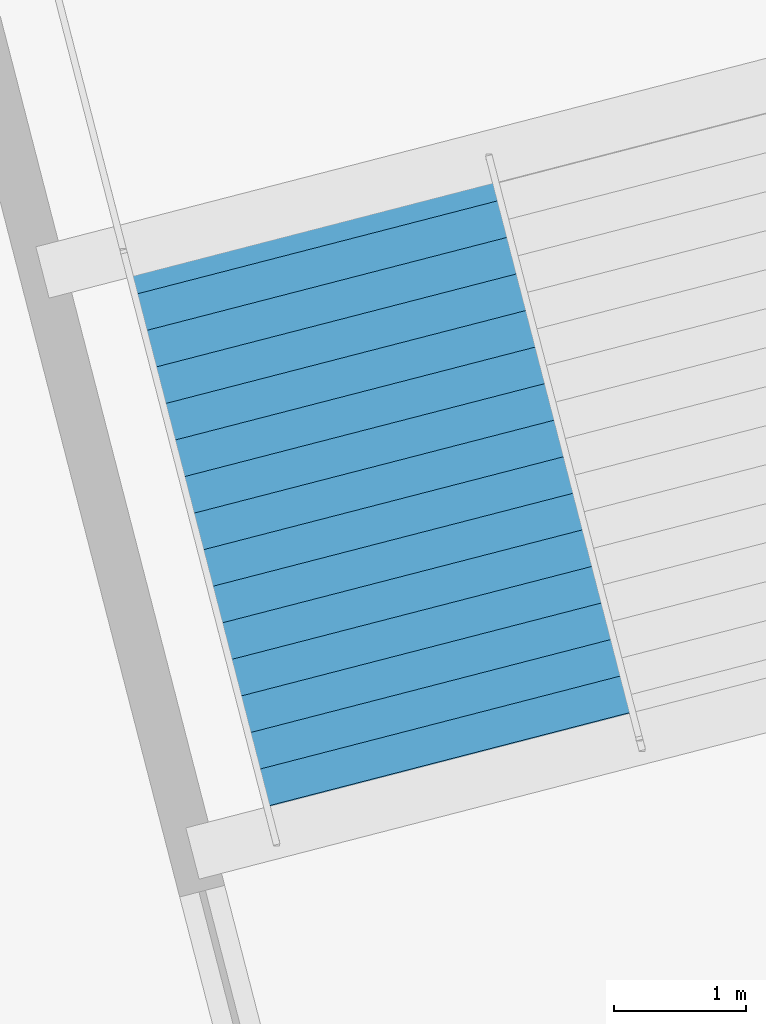
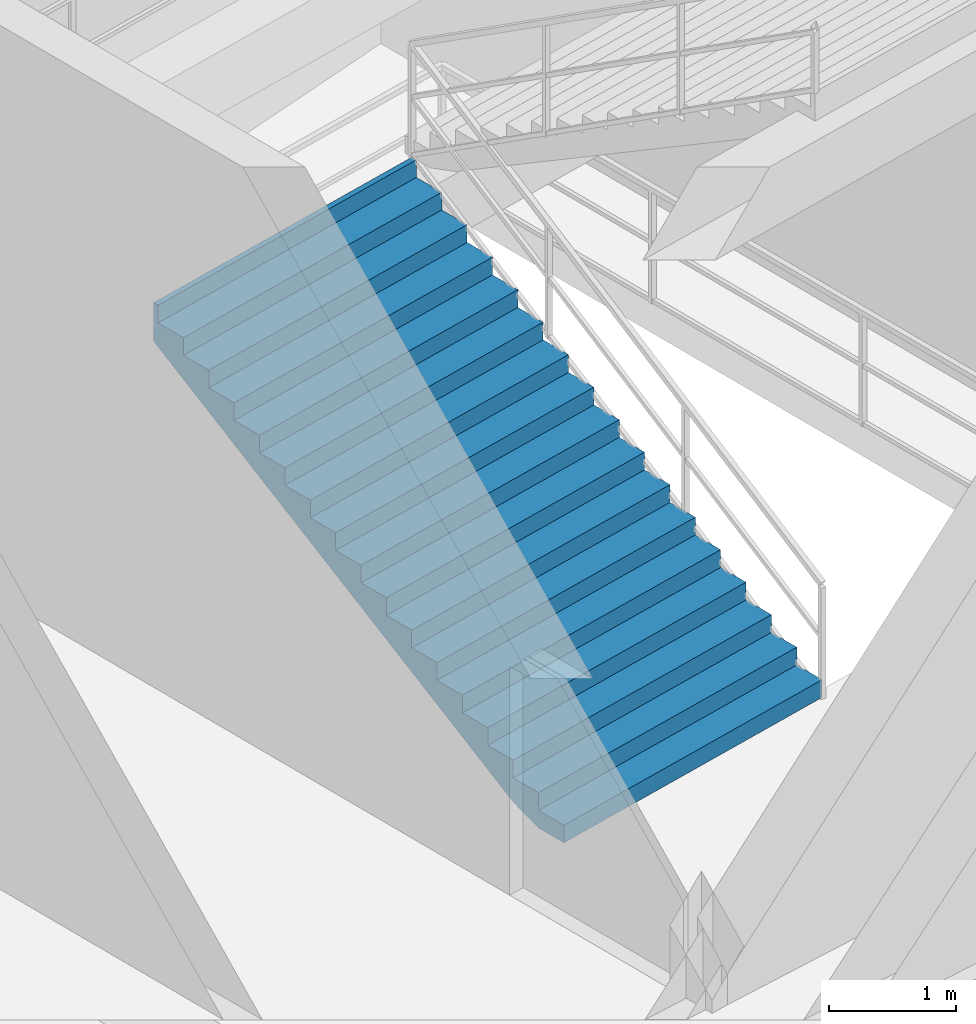
# One storey, part 31 of 48: 1 stair flight, 1 element without a shape of its own.
"""IFC4 building model written with IfcOpenShell, lengths in metres."""

import ifcopenshell
import ifcopenshell.guid

model = None  # the IFC model being written
_history = None  # IfcOwnerHistory: only IFC2X3 demands one
_inside = {}  # id of a spatial element -> (the spatial element, [elements in it])
_under = {}  # id of a project, library or spatial element -> (it, [spatial elements below it])
_declared = {}  # id of a project -> (the project, [libraries it declares])
_typed = {}  # id of a type object -> (the type object, [elements of that type])
_made_of = {}  # id of a material, layer set ... -> (it, [elements and type objects made of it])


def new_model(schema):
    """Start an empty IFC model of exactly this schema.

    Asked for "IFC4X3", IfcOpenShell would pick the latest addendum, in which some entities
    have other attributes; the version numbers below select the first issue.
    IFC2X3 requires an IfcOwnerHistory on every rooted entity: one is made here for all.
    """
    global model, _history
    if schema == "IFC4X3":
        model = ifcopenshell.file(schema_version=(4, 3, 0, 0))
    else:
        model = ifcopenshell.file(schema=schema)
    _inside.clear()
    _under.clear()
    _declared.clear()
    _typed.clear()
    _made_of.clear()
    _history = None
    if model.schema == "IFC2X3":
        org = make("IfcOrganization", Name="unknown")
        user = make(
            "IfcPersonAndOrganization",
            ThePerson=make("IfcPerson", FamilyName="unknown"),
            TheOrganization=org,
        )
        app = make(
            "IfcApplication",
            ApplicationDeveloper=org,
            Version="unknown",
            ApplicationFullName="unknown",
            ApplicationIdentifier="unknown",
        )
        _history = make(
            "IfcOwnerHistory",
            OwningUser=user,
            OwningApplication=app,
            ChangeAction="ADDED",
            CreationDate=0,
        )
    return model


def make(cls, **values):
    """One entity of the class cls with the attributes given. An attribute that is None is left unset."""
    return model.create_entity(
        cls, **{name: value for name, value in values.items() if value is not None}
    )


def rooted(cls, **values):
    """An entity with a GlobalId (a new one), such as an element, a storey or a relation."""
    return make(cls, GlobalId=ifcopenshell.guid.new(), OwnerHistory=_history, **values)


def si_unit(unit_type, name, prefix=None):
    """IfcSIUnit, for example si_unit("LENGTHUNIT", "METRE", prefix="MILLI")."""
    return make("IfcSIUnit", UnitType=unit_type, Prefix=prefix, Name=name)


def assignment(units):
    """IfcUnitAssignment: the units of a project."""
    return None if units is None else make("IfcUnitAssignment", Units=units)


def point(xyz):
    """IfcCartesianPoint."""
    return None if xyz is None else make("IfcCartesianPoint", Coordinates=xyz)


def direction(xyz):
    """IfcDirection."""
    return None if xyz is None else make("IfcDirection", DirectionRatios=xyz)


def frame(location, z_axis=None, x_axis=None):
    """IfcAxis2Placement3D, a coordinate frame: its origin and axes. An axis left out is left unset."""
    return make(
        "IfcAxis2Placement3D",
        Location=point(location),
        Axis=direction(z_axis),
        RefDirection=direction(x_axis),
    )


def origin():
    """The frame at (0, 0, 0) with its axes left unset."""
    return frame((0.0, 0.0, 0.0))


def place(relative_to, where):
    """IfcLocalPlacement: puts the frame where relative to a parent placement (None: the world)."""
    return make(
        "IfcLocalPlacement", PlacementRelTo=relative_to, RelativePlacement=where
    )


def context(
    kind, dimensions, precision=None, world=None, true_north=None, identifier=None
):
    """IfcGeometricRepresentationContext, for example the 3D "Model" context."""
    return make(
        "IfcGeometricRepresentationContext",
        ContextIdentifier=identifier,
        ContextType=kind,
        CoordinateSpaceDimension=dimensions,
        Precision=precision,
        WorldCoordinateSystem=world,
        TrueNorth=true_north,
    )


def subcontext(parent, identifier, kind, view, scale=None):
    """IfcGeometricRepresentationSubContext, for example "Body" below "Model"."""
    return make(
        "IfcGeometricRepresentationSubContext",
        ContextIdentifier=identifier,
        ContextType=kind,
        ParentContext=parent,
        TargetScale=scale,
        TargetView=view,
    )


def project(units=None, contexts=None):
    """IfcProject with its units and contexts."""
    return rooted(
        "IfcProject",
        Name="project",
        RepresentationContexts=contexts,
        UnitsInContext=assignment(units),
    )


def spatial(cls, under=None, at=None, **own):
    """A site, building, storey or space (cls), placed at a placement, below another one or the project."""
    s = rooted(cls, ObjectPlacement=at, **own)
    if under is not None:
        _under.setdefault(under.id(), (under, []))[1].append(s)
    return s


def point_list(points):
    """IfcCartesianPointList2D or 3D."""
    cls = (
        "IfcCartesianPointList2D" if len(points[0]) == 2 else "IfcCartesianPointList3D"
    )
    return make(cls, CoordList=points)


def polygons(points, faces, closed=None, point_numbers=None):
    """IfcPolygonalFaceSet: a face is its outer loop, then its inner loops; points numbered from 1."""
    made = []
    for loops in faces:
        if len(loops) == 1:
            made.append(make("IfcIndexedPolygonalFace", CoordIndex=loops[0]))
        else:
            made.append(
                make(
                    "IfcIndexedPolygonalFaceWithVoids",
                    CoordIndex=loops[0],
                    InnerCoordIndices=loops[1:],
                )
            )
    return make(
        "IfcPolygonalFaceSet",
        Coordinates=point_list(points),
        Closed=closed,
        Faces=made,
        PnIndex=point_numbers,
    )


def shape(context_of_items, identifier, shape_type, items):
    """IfcShapeRepresentation: the items that make up one representation, for example the "Body"."""
    return make(
        "IfcShapeRepresentation",
        ContextOfItems=context_of_items,
        RepresentationIdentifier=identifier,
        RepresentationType=shape_type,
        Items=items,
    )


def material(Name=None, Category=None):
    """IfcMaterial."""
    return make("IfcMaterial", Name=Name, Category=Category)


def made_of(thing, what):
    """Note that an element or type object is made of a material, layer set ...; save() writes the relation."""
    if what is not None:
        _made_of.setdefault(what.id(), (what, []))[1].append(thing)
    return thing


def type_object(cls, material=None, **own):
    """A type object (cls), such as IfcWallType, which elements share."""
    return made_of(rooted(cls, **own), material)


def element(
    cls,
    number,
    at=None,
    inside=None,
    cuts=None,
    type_object=None,
    material=None,
    context=None,
    identifier="Body",
    shape_type=None,
    held_by="IfcProductDefinitionShape",
    body=None,
    shapes=None,
    **own,
):
    """One element of the class cls, such as IfcWall. Its Tag is "e" and its number.

    at: its placement. inside: the storey or other place that contains it. cuts: it is an
    opening in that element (IfcRelVoidsElement). A single representation is given by context,
    identifier, shape_type and body (its items); several are given by shapes. held_by: the class
    of the entity that holds the representations. save() writes the other relations.
    """
    e = rooted(cls, Tag="e%d" % number, ObjectPlacement=at, **own)
    if body is not None:
        shapes = [shape(context, identifier, shape_type, body)]
    if shapes is not None:
        e.Representation = make(held_by, Representations=shapes)
    if inside is not None:
        _inside.setdefault(inside.id(), (inside, []))[1].append(e)
    if cuts is not None:
        rooted(
            "IfcRelVoidsElement", RelatingBuildingElement=cuts, RelatedOpeningElement=e
        )
    if type_object is not None:
        _typed.setdefault(type_object.id(), (type_object, []))[1].append(e)
    return made_of(e, material)


def aggregate(whole, parts):
    """IfcRelAggregates: a whole, such as a stair, and the parts it consists of."""
    return rooted("IfcRelAggregates", RelatingObject=whole, RelatedObjects=parts)


def save(model, path):
    """Write the relations noted so far, then the file.

    IfcRelAggregates (storeys below a building ...), IfcRelContainedInSpatialStructure (elements
    in a storey), IfcRelDefinesByType, IfcRelAssociatesMaterial and IfcRelDeclares: one each for
    every whole, place, type object, material and project.
    """
    for whole, parts in _under.values():
        aggregate(whole, parts)
    for where, things in _inside.values():
        rooted(
            "IfcRelContainedInSpatialStructure",
            RelatedElements=things,
            RelatingStructure=where,
        )
    for kind, things in _typed.values():
        rooted("IfcRelDefinesByType", RelatedObjects=things, RelatingType=kind)
    for what, things in _made_of.values():
        rooted("IfcRelAssociatesMaterial", RelatedObjects=things, RelatingMaterial=what)
    for by, libraries in _declared.values():
        rooted("IfcRelDeclares", RelatingContext=by, RelatedDefinitions=libraries)
    model.write(path)


model = new_model("IFC4")

# Units and contexts
model_context = context("Model", 3, precision=1e-05, world=origin(), true_north=direction((0.0, 1.0)))
body_context = subcontext(model_context, "Body", "Model", "MODEL_VIEW")
ifc_project = project(units=[si_unit("LENGTHUNIT", "METRE"), si_unit("AREAUNIT", "SQUARE_METRE"), si_unit("VOLUMEUNIT", "CUBIC_METRE"), si_unit("PLANEANGLEUNIT", "RADIAN"), si_unit("MASSUNIT", "GRAM", prefix="KILO")], contexts=[model_context])

# Site, building, storey
site_placement = place(None, origin())
site = spatial("IfcSite", under=ifc_project, at=site_placement, CompositionType="ELEMENT")
building_placement = place(site_placement, origin())
building = spatial("IfcBuilding", under=site, at=building_placement, Name="Kazemori Nagisa Stadium", CompositionType="ELEMENT")
storey_placement = place(building_placement, origin())
storey = spatial("IfcBuildingStorey", under=building, at=storey_placement, Name="L00", CompositionType="ELEMENT", Elevation=0.0)

# Stair, stair flight
ifc_material = material(Name="Concrete C36/45 (Fc36)", Category="concrete")
stair_type = type_object("IfcStairType", Name="Stair_CORE_34", PredefinedType="TWO_STRAIGHT_RUN_STAIR", material=ifc_material)
stair_placement = place(storey_placement, origin())
stair = element("IfcStair", 1, at=stair_placement, inside=storey, type_object=stair_type, Name="Exit stair ST07 L00", PredefinedType="TWO_STRAIGHT_RUN_STAIR")
stair_flight_type = type_object("IfcStairFlightType", Name="Flight_CORE_17", PredefinedType="STRAIGHT", material=ifc_material)
stair_flight_placement = place(storey_placement, frame((207.933349609375, 122.920166015625, 0.0), z_axis=(0.0, 0.0, 1.0), x_axis=(-0.24997355226, 0.968252664944, 0.0)))
stair_flight = element("IfcStairFlight", 2, at=stair_flight_placement, type_object=stair_flight_type, Name="Exit stair ST07 L00 flight 1", NumberOfRisers=17, NumberOfTreads=16, PredefinedType="STRAIGHT", RiserHeight=0.17, TreadLength=0.285, context=body_context, shape_type="Tessellation", body=[
    polygons([(0.0, -1.425048828125, 0.0), (0.0, -1.425048828125, 0.169921875), (0.284912109375, -1.425048828125, 0.169921875), (0.284912109375, -1.425048828125, 0.340087890625), (0.570068359375, -1.425048828125, 0.340087890625), (0.570068359375, -1.425048828125, 0.510009765625), (0.85498046875, -1.425048828125, 0.510009765625), (0.85498046875, -1.425048828125, 0.679931640625), (1.139892578125, -1.425048828125, 0.679931640625), (1.139892578125, -1.425048828125, 0.85009765625), (1.425048828125, -1.425048828125, 0.85009765625), (1.425048828125, -1.425048828125, 1.02001953125), (1.7099609375, -1.425048828125, 1.02001953125), (1.7099609375, -1.425048828125, 1.18994140625), (1.9951171875, -1.425048828125, 1.18994140625), (1.9951171875, -1.425048828125, 1.360107421875), (2.280029296875, -1.425048828125, 1.360107421875), (2.280029296875, -1.425048828125, 1.530029296875), (2.56494140625, -1.425048828125, 1.530029296875), (2.56494140625, -1.425048828125, 1.699951171875), (2.85009765625, -1.425048828125, 1.699951171875), (2.85009765625, -1.425048828125, 1.8701171875), (3.135009765625, -1.425048828125, 1.8701171875), (3.135009765625, -1.425048828125, 2.0400390625), (3.419921875, -1.425048828125, 2.0400390625), (3.419921875, -1.425048828125, 2.2099609375), (3.705078125, -1.425048828125, 2.2099609375), (3.705078125, -1.425048828125, 2.3798828125), (3.989990234375, -1.425048828125, 2.3798828125), (3.989990234375, -1.425048828125, 2.550048828125), (4.27490234375, -1.425048828125, 2.550048828125), (4.27490234375, -1.425048828125, 2.719970703125), (4.56005859375, -1.425048828125, 2.719970703125), (4.56005859375, -1.425048828125, 2.889892578125), (4.610107421875, -1.425048828125, 2.889892578125), (4.610107421875, -1.425048828125, 2.51708984375), (4.56005859375, -1.425048828125, 2.487060546875), (4.27490234375, -1.425048828125, 2.317138671875), (3.989990234375, -1.425048828125, 2.147216796875), (3.705078125, -1.425048828125, 1.977294921875), (3.419921875, -1.425048828125, 1.80712890625), (3.135009765625, -1.425048828125, 1.63720703125), (2.85009765625, -1.425048828125, 1.46728515625), (2.56494140625, -1.425048828125, 1.297119140625), (2.280029296875, -1.425048828125, 1.127197265625), (1.9951171875, -1.425048828125, 0.957275390625), (1.7099609375, -1.425048828125, 0.787109375), (1.425048828125, -1.425048828125, 0.6171875), (1.139892578125, -1.425048828125, 0.447265625), (0.85498046875, -1.425048828125, 0.277099609375), (0.570068359375, -1.425048828125, 0.107177734375), (0.284912109375, -1.425048828125, 0.0), (0.0, -0.08544921875, 0.0), (0.0, -0.08544921875, 0.169921875), (0.284912109375, -0.08544921875, 0.169921875), (0.284912109375, -0.08544921875, 0.340087890625), (0.570068359375, -0.08544921875, 0.340087890625), (0.570068359375, -0.08544921875, 0.510009765625), (0.85498046875, -0.08544921875, 0.510009765625), (0.85498046875, -0.08544921875, 0.679931640625), (1.139892578125, -0.08544921875, 0.679931640625), (1.139892578125, -0.08544921875, 0.85009765625), (1.425048828125, -0.08544921875, 0.85009765625), (1.425048828125, -0.08544921875, 1.02001953125), (1.7099609375, -0.08544921875, 1.02001953125), (1.7099609375, -0.08544921875, 1.18994140625), (1.9951171875, -0.08544921875, 1.18994140625), (1.9951171875, -0.08544921875, 1.360107421875), (2.280029296875, -0.08544921875, 1.360107421875), (2.280029296875, -0.08544921875, 1.530029296875), (2.56494140625, -0.08544921875, 1.530029296875), (2.56494140625, -0.08544921875, 1.699951171875), (2.85009765625, -0.08544921875, 1.699951171875), (2.85009765625, -0.08544921875, 1.8701171875), (3.135009765625, -0.08544921875, 1.8701171875), (3.135009765625, -0.08544921875, 2.0400390625), (3.419921875, -0.08544921875, 2.0400390625), (3.419921875, -0.08544921875, 2.2099609375), (3.705078125, -0.08544921875, 2.2099609375), (3.705078125, -0.08544921875, 2.3798828125), (3.989990234375, -0.08544921875, 2.3798828125), (3.989990234375, -0.08544921875, 2.550048828125), (4.27490234375, -0.08544921875, 2.550048828125), (4.27490234375, -0.08544921875, 2.719970703125), (4.56005859375, -0.08544921875, 2.719970703125), (4.56005859375, -0.08544921875, 2.889892578125), (4.610107421875, -0.08544921875, 2.889892578125), (4.610107421875, -0.08544921875, 2.51708984375), (4.56005859375, -0.08544921875, 2.487060546875), (4.27490234375, -0.08544921875, 2.317138671875), (3.989990234375, -0.08544921875, 2.147216796875), (3.705078125, -0.08544921875, 1.977294921875), (3.419921875, -0.08544921875, 1.80712890625), (3.135009765625, -0.08544921875, 1.63720703125), (2.85009765625, -0.08544921875, 1.46728515625), (2.56494140625, -0.08544921875, 1.297119140625), (2.280029296875, -0.08544921875, 1.127197265625), (1.9951171875, -0.08544921875, 0.957275390625), (1.7099609375, -0.08544921875, 0.787109375), (1.425048828125, -0.08544921875, 0.6171875), (1.139892578125, -0.08544921875, 0.447265625), (0.85498046875, -0.08544921875, 0.277099609375), (0.570068359375, -0.08544921875, 0.107177734375), (0.284912109375, -0.08544921875, 0.0), (0.0, 0.0, 0.0), (0.0, 0.0, 0.169921875), (0.284912109375, 0.0, 0.169921875), (0.284912109375, 0.0, 0.340087890625), (0.570068359375, 0.0, 0.340087890625), (0.570068359375, 0.0, 0.510009765625), (0.85498046875, 0.0, 0.510009765625), (0.85498046875, 0.0, 0.679931640625), (1.139892578125, 0.0, 0.679931640625), (1.139892578125, 0.0, 0.85009765625), (1.425048828125, 0.0, 0.85009765625), (1.425048828125, 0.0, 1.02001953125), (1.7099609375, 0.0, 1.02001953125), (1.7099609375, 0.0, 1.18994140625), (1.9951171875, 0.0, 1.18994140625), (1.9951171875, 0.0, 1.360107421875), (2.280029296875, 0.0, 1.360107421875), (2.280029296875, 0.0, 1.530029296875), (2.56494140625, 0.0, 1.530029296875), (2.56494140625, 0.0, 1.699951171875), (2.85009765625, 0.0, 1.699951171875), (2.85009765625, 0.0, 1.8701171875), (3.135009765625, 0.0, 1.8701171875), (3.135009765625, 0.0, 2.0400390625), (3.419921875, 0.0, 2.0400390625), (3.419921875, 0.0, 2.2099609375), (3.705078125, 0.0, 2.2099609375), (3.705078125, 0.0, 2.3798828125), (3.989990234375, 0.0, 2.3798828125), (3.989990234375, 0.0, 2.550048828125), (4.27490234375, 0.0, 2.550048828125), (4.27490234375, 0.0, 2.719970703125), (4.56005859375, 0.0, 2.719970703125), (4.56005859375, 0.0, 2.889892578125), (4.610107421875, 0.0, 2.889892578125), (4.610107421875, 0.0, 2.51708984375), (4.56005859375, 0.0, 2.487060546875), (4.27490234375, 0.0, 2.317138671875), (3.989990234375, 0.0, 2.147216796875), (3.705078125, 0.0, 1.977294921875), (3.419921875, 0.0, 1.80712890625), (3.135009765625, 0.0, 1.63720703125), (2.85009765625, 0.0, 1.46728515625), (2.56494140625, 0.0, 1.297119140625), (2.280029296875, 0.0, 1.127197265625), (1.9951171875, 0.0, 0.957275390625), (1.7099609375, 0.0, 0.787109375), (1.425048828125, 0.0, 0.6171875), (1.139892578125, 0.0, 0.447265625), (0.85498046875, 0.0, 0.277099609375), (0.570068359375, 0.0, 0.107177734375), (0.284912109375, 0.0, 0.0), (0.0, 0.08544921875, 0.0), (0.0, 0.08544921875, 0.169921875), (0.284912109375, 0.08544921875, 0.169921875), (0.284912109375, 0.08544921875, 0.340087890625), (0.570068359375, 0.08544921875, 0.340087890625), (0.570068359375, 0.08544921875, 0.510009765625), (0.85498046875, 0.08544921875, 0.510009765625), (0.85498046875, 0.08544921875, 0.679931640625), (1.139892578125, 0.08544921875, 0.679931640625), (1.139892578125, 0.08544921875, 0.85009765625), (1.425048828125, 0.08544921875, 0.85009765625), (1.425048828125, 0.08544921875, 1.02001953125), (1.7099609375, 0.08544921875, 1.02001953125), (1.7099609375, 0.08544921875, 1.18994140625), (1.9951171875, 0.08544921875, 1.18994140625), (1.9951171875, 0.08544921875, 1.360107421875), (2.280029296875, 0.08544921875, 1.360107421875), (2.280029296875, 0.08544921875, 1.530029296875), (2.56494140625, 0.08544921875, 1.530029296875), (2.56494140625, 0.08544921875, 1.699951171875), (2.85009765625, 0.08544921875, 1.699951171875), (2.85009765625, 0.08544921875, 1.8701171875), (3.135009765625, 0.08544921875, 1.8701171875), (3.135009765625, 0.08544921875, 2.0400390625), (3.419921875, 0.08544921875, 2.0400390625), (3.419921875, 0.08544921875, 2.2099609375), (3.705078125, 0.08544921875, 2.2099609375), (3.705078125, 0.08544921875, 2.3798828125), (3.989990234375, 0.08544921875, 2.3798828125), (3.989990234375, 0.08544921875, 2.550048828125), (4.27490234375, 0.08544921875, 2.550048828125), (4.27490234375, 0.08544921875, 2.719970703125), (4.56005859375, 0.08544921875, 2.719970703125), (4.56005859375, 0.08544921875, 2.889892578125), (4.610107421875, 0.08544921875, 2.889892578125), (4.610107421875, 0.08544921875, 2.51708984375), (4.56005859375, 0.08544921875, 2.487060546875), (4.27490234375, 0.08544921875, 2.317138671875), (3.989990234375, 0.08544921875, 2.147216796875), (3.705078125, 0.08544921875, 1.977294921875), (3.419921875, 0.08544921875, 1.80712890625), (3.135009765625, 0.08544921875, 1.63720703125), (2.85009765625, 0.08544921875, 1.46728515625), (2.56494140625, 0.08544921875, 1.297119140625), (2.280029296875, 0.08544921875, 1.127197265625), (1.9951171875, 0.08544921875, 0.957275390625), (1.7099609375, 0.08544921875, 0.787109375), (1.425048828125, 0.08544921875, 0.6171875), (1.139892578125, 0.08544921875, 0.447265625), (0.85498046875, 0.08544921875, 0.277099609375), (0.570068359375, 0.08544921875, 0.107177734375), (0.284912109375, 0.08544921875, 0.0), (0.0, 1.425048828125, 0.0), (0.0, 1.425048828125, 0.169921875), (0.284912109375, 1.425048828125, 0.169921875), (0.284912109375, 1.425048828125, 0.340087890625), (0.570068359375, 1.425048828125, 0.340087890625), (0.570068359375, 1.425048828125, 0.510009765625), (0.85498046875, 1.425048828125, 0.510009765625), (0.85498046875, 1.425048828125, 0.679931640625), (1.139892578125, 1.425048828125, 0.679931640625), (1.139892578125, 1.425048828125, 0.85009765625), (1.425048828125, 1.425048828125, 0.85009765625), (1.425048828125, 1.425048828125, 1.02001953125), (1.7099609375, 1.425048828125, 1.02001953125), (1.7099609375, 1.425048828125, 1.18994140625), (1.9951171875, 1.425048828125, 1.18994140625), (1.9951171875, 1.425048828125, 1.360107421875), (2.280029296875, 1.425048828125, 1.360107421875), (2.280029296875, 1.425048828125, 1.530029296875), (2.56494140625, 1.425048828125, 1.530029296875), (2.56494140625, 1.425048828125, 1.699951171875), (2.85009765625, 1.425048828125, 1.699951171875), (2.85009765625, 1.425048828125, 1.8701171875), (3.135009765625, 1.425048828125, 1.8701171875), (3.135009765625, 1.425048828125, 2.0400390625), (3.419921875, 1.425048828125, 2.0400390625), (3.419921875, 1.425048828125, 2.2099609375), (3.705078125, 1.425048828125, 2.2099609375), (3.705078125, 1.425048828125, 2.3798828125), (3.989990234375, 1.425048828125, 2.3798828125), (3.989990234375, 1.425048828125, 2.550048828125), (4.27490234375, 1.425048828125, 2.550048828125), (4.27490234375, 1.425048828125, 2.719970703125), (4.56005859375, 1.425048828125, 2.719970703125), (4.56005859375, 1.425048828125, 2.889892578125), (4.610107421875, 1.425048828125, 2.889892578125), (4.610107421875, 1.425048828125, 2.51708984375), (4.56005859375, 1.425048828125, 2.487060546875), (4.27490234375, 1.425048828125, 2.317138671875), (3.989990234375, 1.425048828125, 2.147216796875), (3.705078125, 1.425048828125, 1.977294921875), (3.419921875, 1.425048828125, 1.80712890625), (3.135009765625, 1.425048828125, 1.63720703125), (2.85009765625, 1.425048828125, 1.46728515625), (2.56494140625, 1.425048828125, 1.297119140625), (2.280029296875, 1.425048828125, 1.127197265625), (1.9951171875, 1.425048828125, 0.957275390625), (1.7099609375, 1.425048828125, 0.787109375), (1.425048828125, 1.425048828125, 0.6171875), (1.139892578125, 1.425048828125, 0.447265625), (0.85498046875, 1.425048828125, 0.277099609375), (0.570068359375, 1.425048828125, 0.107177734375), (0.284912109375, 1.425048828125, 0.0)], [[[1, 2, 54]], [[1, 54, 53]], [[2, 3, 55]], [[2, 55, 54]], [[3, 4, 56]], [[3, 56, 55]], [[4, 5, 57]], [[4, 57, 56]], [[5, 6, 58]], [[5, 58, 57]], [[6, 7, 59]], [[6, 59, 58]], [[7, 8, 60]], [[7, 60, 59]], [[8, 9, 61]], [[8, 61, 60]], [[9, 10, 62]], [[9, 62, 61]], [[10, 11, 63]], [[10, 63, 62]], [[11, 12, 64]], [[11, 64, 63]], [[12, 13, 65]], [[12, 65, 64]], [[13, 14, 66]], [[13, 66, 65]], [[14, 15, 67]], [[14, 67, 66]], [[15, 16, 68]], [[15, 68, 67]], [[16, 17, 69]], [[16, 69, 68]], [[17, 18, 70]], [[17, 70, 69]], [[18, 19, 71]], [[18, 71, 70]], [[19, 20, 72]], [[19, 72, 71]], [[20, 21, 73]], [[20, 73, 72]], [[21, 22, 74]], [[21, 74, 73]], [[22, 23, 75]], [[22, 75, 74]], [[23, 24, 76]], [[23, 76, 75]], [[24, 25, 77]], [[24, 77, 76]], [[25, 26, 78]], [[25, 78, 77]], [[26, 27, 79]], [[26, 79, 78]], [[27, 28, 80]], [[27, 80, 79]], [[28, 29, 81]], [[28, 81, 80]], [[29, 30, 82]], [[29, 82, 81]], [[30, 31, 83]], [[30, 83, 82]], [[31, 32, 84]], [[31, 84, 83]], [[32, 33, 85]], [[32, 85, 84]], [[33, 34, 86]], [[33, 86, 85]], [[34, 35, 87]], [[34, 87, 86]], [[35, 36, 88]], [[35, 88, 87]], [[36, 37, 89]], [[36, 89, 88]], [[37, 38, 90]], [[37, 90, 89]], [[38, 39, 91]], [[38, 91, 90]], [[39, 40, 92]], [[39, 92, 91]], [[40, 41, 93]], [[40, 93, 92]], [[41, 42, 94]], [[41, 94, 93]], [[42, 43, 95]], [[42, 95, 94]], [[43, 44, 96]], [[43, 96, 95]], [[44, 45, 97]], [[44, 97, 96]], [[45, 46, 98]], [[45, 98, 97]], [[46, 47, 99]], [[46, 99, 98]], [[47, 48, 100]], [[47, 100, 99]], [[48, 49, 101]], [[48, 101, 100]], [[49, 50, 102]], [[49, 102, 101]], [[50, 51, 103]], [[50, 103, 102]], [[51, 52, 104]], [[51, 104, 103]], [[52, 1, 53]], [[52, 53, 104]], [[53, 54, 106]], [[53, 106, 105]], [[54, 55, 107]], [[54, 107, 106]], [[55, 56, 108]], [[55, 108, 107]], [[56, 57, 109]], [[56, 109, 108]], [[57, 58, 110]], [[57, 110, 109]], [[58, 59, 111]], [[58, 111, 110]], [[59, 60, 112]], [[59, 112, 111]], [[60, 61, 113]], [[60, 113, 112]], [[61, 62, 114]], [[61, 114, 113]], [[62, 63, 115]], [[62, 115, 114]], [[63, 64, 116]], [[63, 116, 115]], [[64, 65, 117]], [[64, 117, 116]], [[65, 66, 118]], [[65, 118, 117]], [[66, 67, 119]], [[66, 119, 118]], [[67, 68, 120]], [[67, 120, 119]], [[68, 69, 121]], [[68, 121, 120]], [[69, 70, 122]], [[69, 122, 121]], [[70, 71, 123]], [[70, 123, 122]], [[71, 72, 124]], [[71, 124, 123]], [[72, 73, 125]], [[72, 125, 124]], [[73, 74, 126]], [[73, 126, 125]], [[74, 75, 127]], [[74, 127, 126]], [[75, 76, 128]], [[75, 128, 127]], [[76, 77, 129]], [[76, 129, 128]], [[77, 78, 130]], [[77, 130, 129]], [[78, 79, 131]], [[78, 131, 130]], [[79, 80, 132]], [[79, 132, 131]], [[80, 81, 133]], [[80, 133, 132]], [[81, 82, 134]], [[81, 134, 133]], [[82, 83, 135]], [[82, 135, 134]], [[83, 84, 136]], [[83, 136, 135]], [[84, 85, 137]], [[84, 137, 136]], [[85, 86, 138]], [[85, 138, 137]], [[86, 87, 139]], [[86, 139, 138]], [[87, 88, 140]], [[87, 140, 139]], [[88, 89, 141]], [[88, 141, 140]], [[89, 90, 142]], [[89, 142, 141]], [[90, 91, 143]], [[90, 143, 142]], [[91, 92, 144]], [[91, 144, 143]], [[92, 93, 145]], [[92, 145, 144]], [[93, 94, 146]], [[93, 146, 145]], [[94, 95, 147]], [[94, 147, 146]], [[95, 96, 148]], [[95, 148, 147]], [[96, 97, 149]], [[96, 149, 148]], [[97, 98, 150]], [[97, 150, 149]], [[98, 99, 151]], [[98, 151, 150]], [[99, 100, 152]], [[99, 152, 151]], [[100, 101, 153]], [[100, 153, 152]], [[101, 102, 154]], [[101, 154, 153]], [[102, 103, 155]], [[102, 155, 154]], [[103, 104, 156]], [[103, 156, 155]], [[104, 53, 105]], [[104, 105, 156]], [[105, 106, 158]], [[105, 158, 157]], [[106, 107, 159]], [[106, 159, 158]], [[107, 108, 160]], [[107, 160, 159]], [[108, 109, 161]], [[108, 161, 160]], [[109, 110, 162]], [[109, 162, 161]], [[110, 111, 163]], [[110, 163, 162]], [[111, 112, 164]], [[111, 164, 163]], [[112, 113, 165]], [[112, 165, 164]], [[113, 114, 166]], [[113, 166, 165]], [[114, 115, 167]], [[114, 167, 166]], [[115, 116, 168]], [[115, 168, 167]], [[116, 117, 169]], [[116, 169, 168]], [[117, 118, 170]], [[117, 170, 169]], [[118, 119, 171]], [[118, 171, 170]], [[119, 120, 172]], [[119, 172, 171]], [[120, 121, 173]], [[120, 173, 172]], [[121, 122, 174]], [[121, 174, 173]], [[122, 123, 175]], [[122, 175, 174]], [[123, 124, 176]], [[123, 176, 175]], [[124, 125, 177]], [[124, 177, 176]], [[125, 126, 178]], [[125, 178, 177]], [[126, 127, 179]], [[126, 179, 178]], [[127, 128, 180]], [[127, 180, 179]], [[128, 129, 181]], [[128, 181, 180]], [[129, 130, 182]], [[129, 182, 181]], [[130, 131, 183]], [[130, 183, 182]], [[131, 132, 184]], [[131, 184, 183]], [[132, 133, 185]], [[132, 185, 184]], [[133, 134, 186]], [[133, 186, 185]], [[134, 135, 187]], [[134, 187, 186]], [[135, 136, 188]], [[135, 188, 187]], [[136, 137, 189]], [[136, 189, 188]], [[137, 138, 190]], [[137, 190, 189]], [[138, 139, 191]], [[138, 191, 190]], [[139, 140, 192]], [[139, 192, 191]], [[140, 141, 193]], [[140, 193, 192]], [[141, 142, 194]], [[141, 194, 193]], [[142, 143, 195]], [[142, 195, 194]], [[143, 144, 196]], [[143, 196, 195]], [[144, 145, 197]], [[144, 197, 196]], [[145, 146, 198]], [[145, 198, 197]], [[146, 147, 199]], [[146, 199, 198]], [[147, 148, 200]], [[147, 200, 199]], [[148, 149, 201]], [[148, 201, 200]], [[149, 150, 202]], [[149, 202, 201]], [[150, 151, 203]], [[150, 203, 202]], [[151, 152, 204]], [[151, 204, 203]], [[152, 153, 205]], [[152, 205, 204]], [[153, 154, 206]], [[153, 206, 205]], [[154, 155, 207]], [[154, 207, 206]], [[155, 156, 208]], [[155, 208, 207]], [[156, 105, 157]], [[156, 157, 208]], [[157, 158, 210]], [[157, 210, 209]], [[158, 159, 211]], [[158, 211, 210]], [[159, 160, 212]], [[159, 212, 211]], [[160, 161, 213]], [[160, 213, 212]], [[161, 162, 214]], [[161, 214, 213]], [[162, 163, 215]], [[162, 215, 214]], [[163, 164, 216]], [[163, 216, 215]], [[164, 165, 217]], [[164, 217, 216]], [[165, 166, 218]], [[165, 218, 217]], [[166, 167, 219]], [[166, 219, 218]], [[167, 168, 220]], [[167, 220, 219]], [[168, 169, 221]], [[168, 221, 220]], [[169, 170, 222]], [[169, 222, 221]], [[170, 171, 223]], [[170, 223, 222]], [[171, 172, 224]], [[171, 224, 223]], [[172, 173, 225]], [[172, 225, 224]], [[173, 174, 226]], [[173, 226, 225]], [[174, 175, 227]], [[174, 227, 226]], [[175, 176, 228]], [[175, 228, 227]], [[176, 177, 229]], [[176, 229, 228]], [[177, 178, 230]], [[177, 230, 229]], [[178, 179, 231]], [[178, 231, 230]], [[179, 180, 232]], [[179, 232, 231]], [[180, 181, 233]], [[180, 233, 232]], [[181, 182, 234]], [[181, 234, 233]], [[182, 183, 235]], [[182, 235, 234]], [[183, 184, 236]], [[183, 236, 235]], [[184, 185, 237]], [[184, 237, 236]], [[185, 186, 238]], [[185, 238, 237]], [[186, 187, 239]], [[186, 239, 238]], [[187, 188, 240]], [[187, 240, 239]], [[188, 189, 241]], [[188, 241, 240]], [[189, 190, 242]], [[189, 242, 241]], [[190, 191, 243]], [[190, 243, 242]], [[191, 192, 244]], [[191, 244, 243]], [[192, 193, 245]], [[192, 245, 244]], [[193, 194, 246]], [[193, 246, 245]], [[194, 195, 247]], [[194, 247, 246]], [[195, 196, 248]], [[195, 248, 247]], [[196, 197, 249]], [[196, 249, 248]], [[197, 198, 250]], [[197, 250, 249]], [[198, 199, 251]], [[198, 251, 250]], [[199, 200, 252]], [[199, 252, 251]], [[200, 201, 253]], [[200, 253, 252]], [[201, 202, 254]], [[201, 254, 253]], [[202, 203, 255]], [[202, 255, 254]], [[203, 204, 256]], [[203, 256, 255]], [[204, 205, 257]], [[204, 257, 256]], [[205, 206, 258]], [[205, 258, 257]], [[206, 207, 259]], [[206, 259, 258]], [[207, 208, 260]], [[207, 260, 259]], [[208, 157, 209]], [[208, 209, 260]], [[3, 2, 1]], [[209, 210, 211]], [[52, 3, 1]], [[209, 211, 260]], [[51, 3, 52]], [[260, 211, 259]], [[5, 3, 51]], [[259, 211, 213]], [[5, 4, 3]], [[211, 212, 213]], [[50, 5, 51]], [[259, 213, 258]], [[7, 5, 50]], [[258, 213, 215]], [[7, 6, 5]], [[213, 214, 215]], [[49, 7, 50]], [[258, 215, 257]], [[9, 7, 49]], [[257, 215, 217]], [[9, 8, 7]], [[215, 216, 217]], [[48, 9, 49]], [[257, 217, 256]], [[11, 9, 48]], [[256, 217, 219]], [[11, 10, 9]], [[217, 218, 219]], [[47, 11, 48]], [[256, 219, 255]], [[13, 11, 47]], [[255, 219, 221]], [[13, 12, 11]], [[219, 220, 221]], [[46, 13, 47]], [[255, 221, 254]], [[15, 13, 46]], [[254, 221, 223]], [[15, 14, 13]], [[221, 222, 223]], [[45, 15, 46]], [[254, 223, 253]], [[17, 15, 45]], [[253, 223, 225]], [[17, 16, 15]], [[223, 224, 225]], [[44, 17, 45]], [[253, 225, 252]], [[19, 17, 44]], [[252, 225, 227]], [[19, 18, 17]], [[225, 226, 227]], [[43, 19, 44]], [[252, 227, 251]], [[21, 19, 43]], [[251, 227, 229]], [[21, 20, 19]], [[227, 228, 229]], [[42, 21, 43]], [[251, 229, 250]], [[23, 21, 42]], [[250, 229, 231]], [[23, 22, 21]], [[229, 230, 231]], [[41, 23, 42]], [[250, 231, 249]], [[25, 23, 41]], [[249, 231, 233]], [[25, 24, 23]], [[231, 232, 233]], [[40, 25, 41]], [[249, 233, 248]], [[27, 25, 40]], [[248, 233, 235]], [[27, 26, 25]], [[233, 234, 235]], [[39, 27, 40]], [[248, 235, 247]], [[29, 27, 39]], [[247, 235, 237]], [[29, 28, 27]], [[235, 236, 237]], [[38, 29, 39]], [[247, 237, 246]], [[31, 29, 38]], [[246, 237, 239]], [[31, 30, 29]], [[237, 238, 239]], [[37, 31, 38]], [[246, 239, 245]], [[33, 31, 37]], [[245, 239, 241]], [[33, 32, 31]], [[239, 240, 241]], [[36, 33, 37]], [[245, 241, 244]], [[35, 33, 36]], [[244, 241, 243]], [[35, 34, 33]], [[241, 242, 243]]], closed=True),
])
aggregate(stair, [stair_flight])

save(model, "model.ifc")
